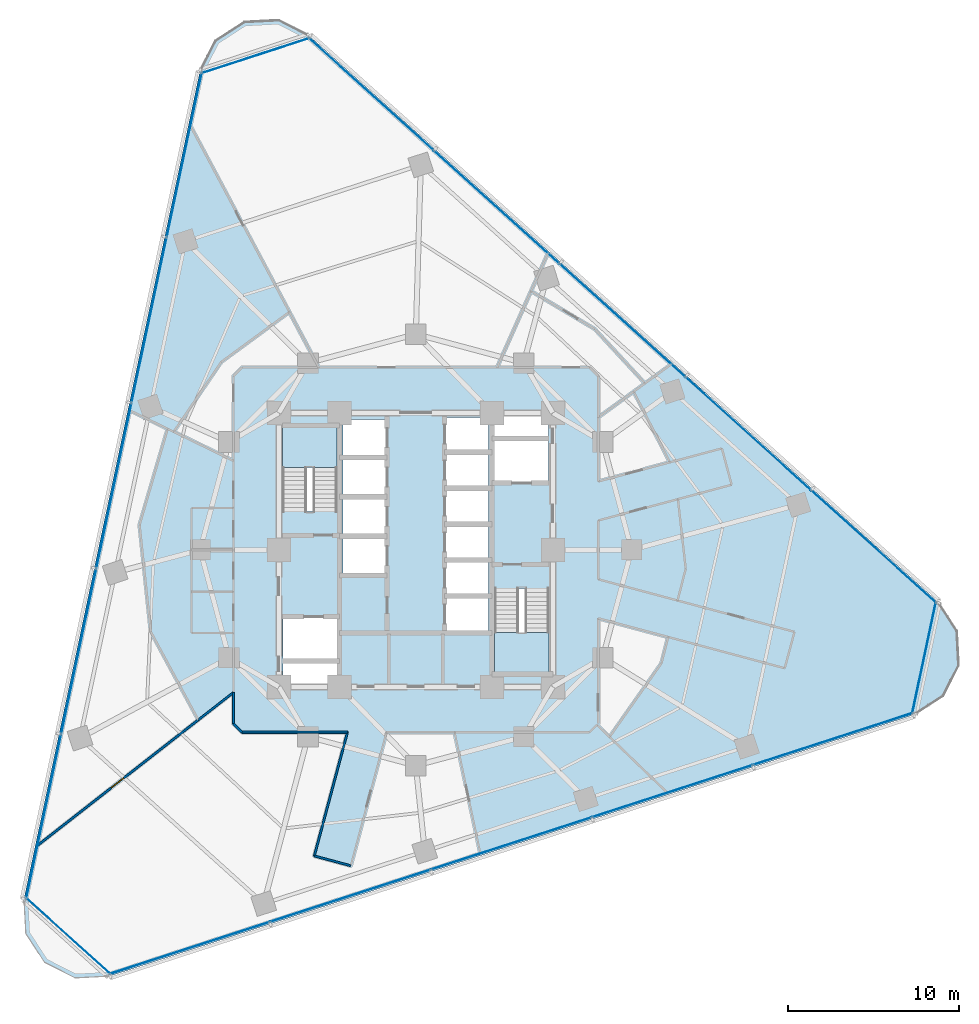
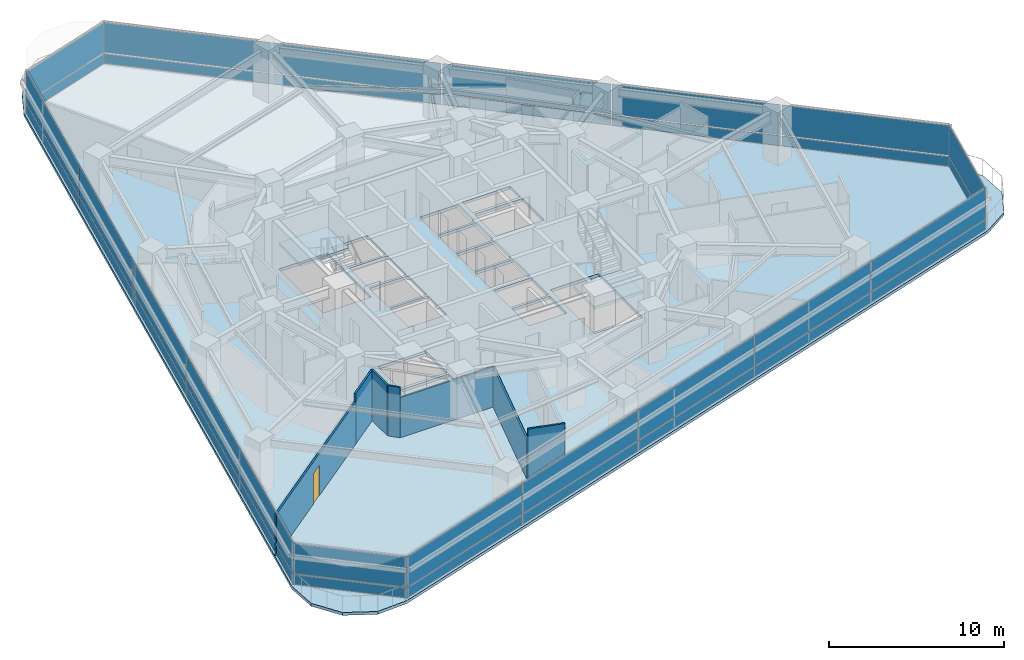
# One storey, part 6 of 13: 36 plates, 7 walls, 3 slabs, 1 door, 1 opening, 8 elements without a shape of their own.
"""IFC4 building model written with IfcOpenShell, lengths in metres."""

from ifc_helpers import new_model, si_unit, direction, frame, frame_2d, origin, origin_2d, place, context, subcontext, project, spatial, polyline, rectangle, outline, extrude, material, layer, layer_set, type_object, element, fill, aggregate, save


model = new_model("IFC4")

# Units and contexts
model_context = context("Model", 3, precision=1e-05, world=origin(), true_north=direction((0.0, 1.0)))
body_context = subcontext(model_context, "Body", "Model", "MODEL_VIEW")
ifc_project = project(units=[si_unit("LENGTHUNIT", "METRE"), si_unit("AREAUNIT", "SQUARE_METRE"), si_unit("VOLUMEUNIT", "CUBIC_METRE"), si_unit("PLANEANGLEUNIT", "RADIAN"), si_unit("MASSUNIT", "GRAM", prefix="KILO")], contexts=[model_context])

# Site, building, storey
site_placement = place(None, origin())
site = spatial("IfcSite", under=ifc_project, at=site_placement, CompositionType="ELEMENT")
building_placement = place(site_placement, origin())
building = spatial("IfcBuilding", under=site, at=building_placement, Name="Terralouvre Media Tower", CompositionType="ELEMENT")
storey_placement = place(building_placement, frame((0.0, 0.0, 108.800048828125)))
storey = spatial("IfcBuildingStorey", under=building, at=storey_placement, Name="L27", CompositionType="ELEMENT", Elevation=108.800048828125)

# Slab
ifc_material_1 = material(Name="Concrete C40/50", Category="concrete")
ifc_layer_1 = layer(ifc_material_1, 0.199951171875, Name="Composite Tower Floor Slab S-TYP200")
ifc_layer_set_1 = layer_set([ifc_layer_1], Name="Concrete C40/50")
slab_type_1 = type_object("IfcSlabType", Name="Composite Tower Floor Slab S-TYP200", PredefinedType="FLOOR", material=ifc_layer_set_1)
slab_1_placement = place(storey_placement, frame((0.0, 0.0, -0.199951171875), z_axis=(0.0, 0.0, 1.0), x_axis=(0.951056516295, 0.309016994375, 0.0)))
element("IfcSlab", 1, at=slab_1_placement, inside=storey, type_object=slab_type_1, Name="L27 Structural Floor Slab", PredefinedType="FLOOR", context=body_context, shape_type="SweptSolid", body=[
    extrude(outline(polyline([(-28.080078125, -12.33203125), (-28.60009765625, -14.272216796875), (-28.080078125, -16.212158203125), (-26.659912109375, -17.63232421875), (-24.719970703125, -18.152099609375), (24.719970703125, -18.152099609375), (26.659912109375, -17.63232421875), (28.080078125, -16.212158203125), (28.60009765625, -14.272216796875), (28.080078125, -12.33203125), (3.360107421875, 30.484130859375), (1.93994140625, 31.904296875), (0.0, 32.424072265625), (-1.93994140625, 31.904296875), (-3.360107421875, 30.484130859375), (-28.080078125, -12.33203125)]), holes=[polyline([(-6.78515625, -5.996826171875), (-9.781005859375, -5.0234375), (-9.41015625, -3.882080078125), (-6.414306640625, -4.85546875), (-6.78515625, -5.996826171875)]), polyline([(-6.3525390625, -4.665283203125), (-9.348388671875, -3.69189453125), (-8.59130859375, -1.36181640625), (-5.595458984375, -2.335205078125), (-6.3525390625, -4.665283203125)]), polyline([(-2.103271484375, -0.809814453125), (-4.480712890625, -0.037109375), (-3.819580078125, 1.998046875), (-1.44189453125, 1.2255859375), (-2.103271484375, -0.809814453125)]), polyline([(-1.392333984375, 1.377685546875), (-3.77001953125, 2.150146484375), (-3.108642578125, 4.185546875), (-0.731201171875, 3.4130859375), (-1.392333984375, 1.377685546875)]), polyline([(4.5302734375, 0.189453125), (2.152587890625, 0.9619140625), (2.752197265625, 2.806884765625), (5.129638671875, 2.034423828125), (4.5302734375, 0.189453125)]), polyline([(-0.681640625, 3.565185546875), (-3.059326171875, 4.337646484375), (-2.39794921875, 6.373046875), (-0.020263671875, 5.600341796875), (-0.681640625, 3.565185546875)]), polyline([(-3.68115234375, 3.556640625), (-6.70556640625, 4.539306640625), (-5.15576171875, 9.308837890625), (-2.13134765625, 8.326171875), (-3.68115234375, 3.556640625)]), polyline([(0.029052734375, 5.752685546875), (-2.3486328125, 6.525146484375), (-1.687255859375, 8.560302734375), (0.6904296875, 7.787841796875), (0.029052734375, 5.752685546875)]), polyline([(3.68115234375, -3.556640625), (6.70556640625, -4.539306640625), (5.15576171875, -9.308837890625), (2.13134765625, -8.326171875), (3.68115234375, -3.556640625)]), polyline([(2.58349609375, -5.80224609375), (0.205810546875, -5.02978515625), (0.80517578125, -3.184814453125), (3.182861328125, -3.957275390625), (2.58349609375, -5.80224609375)]), polyline([(3.232421875, -3.80517578125), (0.854736328125, -3.032470703125), (1.4541015625, -1.1875), (3.831787109375, -1.9599609375), (3.232421875, -3.80517578125)]), polyline([(3.88134765625, -1.807861328125), (1.503662109375, -1.035400390625), (2.103271484375, 0.809814453125), (4.480712890625, 0.037109375), (3.88134765625, -1.807861328125)]), polyline([(5.17919921875, 2.1865234375), (2.801513671875, 2.959228515625), (3.401123046875, 4.80419921875), (5.778564453125, 4.031494140625), (5.17919921875, 2.1865234375)]), polyline([(8.59130859375, 1.36181640625), (5.595458984375, 2.335205078125), (6.3525390625, 4.665283203125), (9.348388671875, 3.69189453125), (8.59130859375, 1.36181640625)]), polyline([(5.828125, 4.183837890625), (3.450439453125, 4.956298828125), (4.050048828125, 6.80126953125), (6.427490234375, 6.02880859375), (5.828125, 4.183837890625)]), polyline([(9.41015625, 3.882080078125), (6.414306640625, 4.85546875), (6.78515625, 5.996826171875), (9.781005859375, 5.0234375), (9.41015625, 3.882080078125)])]), origin(), (0.0, 0.0, 1.0), 0.199951171875),
])

# Stair, slab
ifc_material_2 = material(Name="Concrete C45/55", Category="concrete")
stair_type_1 = type_object("IfcStairType", Name="Dogleg Stair Assembly ST-01", PredefinedType="HALF_TURN_STAIR", material=ifc_material_2)
stair_1_placement = place(storey_placement, origin())
stair_1 = element("IfcStair", 2, at=stair_1_placement, inside=storey, type_object=stair_type_1, Name="L27 Core Pressurised Exit Stair ST-01", PredefinedType="HALF_TURN_STAIR")
ifc_material_3 = material(Name="Concrete C45/55", Category="concrete")
ifc_layer_2 = layer(ifc_material_3, 0.199951171875, Name="Reinforced Concrete Stair Half-Landing SL-LD1")
ifc_layer_set_2 = layer_set([ifc_layer_2], Name="Concrete C45/55")
slab_type_2 = type_object("IfcSlabType", Name="Reinforced Concrete Stair Half-Landing SL-LD1", PredefinedType="LANDING", material=ifc_layer_set_2)
slab_2_placement = place(storey_placement, frame((0.0, 0.0, 1.64990234375)))
slab_2 = element("IfcSlab", 3, at=slab_2_placement, type_object=slab_type_2, Name="ST-01 landing 1", PredefinedType="LANDING", context=body_context, shape_type="SweptSolid", body=[
    extrude(outline(polyline([(-4.60009765625, 4.820068359375), (-4.60009765625, 7.260009765625), (-7.780029296875, 7.260009765625), (-7.780029296875, 4.820068359375), (-4.60009765625, 4.820068359375)])), origin(), (0.0, 0.0, 1.0), 0.199951171875),
])
aggregate(stair_1, [slab_2])

ifc_material_4 = material(Name="Concrete C45/55", Category="concrete")
stair_type_2 = type_object("IfcStairType", Name="Dogleg Stair Assembly ST-02", PredefinedType="HALF_TURN_STAIR", material=ifc_material_4)
stair_2_placement = place(storey_placement, origin())
stair_2 = element("IfcStair", 4, at=stair_2_placement, inside=storey, type_object=stair_type_2, Name="L27 Core Pressurised Exit Stair ST-02", PredefinedType="HALF_TURN_STAIR")
slab_3_placement = place(storey_placement, frame((0.0, 0.0, 1.64990234375)))
slab_3 = element("IfcSlab", 5, at=slab_3_placement, type_object=slab_type_2, Name="ST-02 landing 1", PredefinedType="LANDING", context=body_context, shape_type="SweptSolid", body=[
    extrude(outline(polyline([(4.60009765625, -4.820068359375), (4.60009765625, -7.260009765625), (7.780029296875, -7.260009765625), (7.780029296875, -4.820068359375), (4.60009765625, -4.820068359375)])), origin(), (0.0, 0.0, 1.0), 0.199951171875),
])
aggregate(stair_2, [slab_3])

# Curtain wall, plates
ifc_material_5 = material(Name="Low-iron laminated double glazing with solar-control coating", Category="glass")
ifc_layer_3 = layer(ifc_material_5, 0.1650390625, Name="Rounded Wind-Corner Curved Glazing CW-04")
ifc_layer_set_3 = layer_set([ifc_layer_3], Name="Low-iron laminated double glazing with solar-control coating")
curtain_wall_type_1 = type_object("IfcCurtainWallType", Name="Rounded Wind-Corner Curved Glazing CW-04", PredefinedType="NOTDEFINED", material=ifc_layer_set_3)
curtain_wall_1_placement = place(storey_placement, origin())
curtain_wall_1 = element("IfcCurtainWall", 6, at=curtain_wall_1_placement, inside=storey, type_object=curtain_wall_type_1, Name="L27 Rounded Wind-Corner Curtain Wall C0", PredefinedType="NOTDEFINED")
ifc_material_6 = material(Name="Low-iron laminated double glazing with solar-control coating", Category="glass")
ifc_layer_4 = layer(ifc_material_6, 0.0400390625, Name="Rounded Corner Laminated Vision Panel CWP-03")
ifc_layer_set_4 = layer_set([ifc_layer_4], Name="Low-iron laminated double glazing with solar-control coating")
plate_type_1 = type_object("IfcPlateType", Name="Rounded Corner Laminated Vision Panel CWP-03", PredefinedType="CURTAIN_PANEL", material=ifc_layer_set_4)
plate_1_placement = place(storey_placement, frame((-20.30419921875, -22.550048828125, 0.074951171875), z_axis=(0.0, 0.0, 1.0), x_axis=(0.743144668471, -0.669130780732, 0.0)))
plate_1 = element("IfcPlate", 7, at=plate_1_placement, type_object=plate_type_1, Name="CW-04 panel 1.1", PredefinedType="CURTAIN_PANEL", context=body_context, shape_type="SweptSolid", body=[
    extrude(rectangle(XDim=6.5703125, YDim=0.035888671875, at=origin_2d()), origin(), (0.0, 0.0, 1.0), 0.6875),
])
plate_2_placement = place(storey_placement, frame((-20.30419921875, -22.550048828125, 0.83740234375), z_axis=(0.0, 0.0, 1.0), x_axis=(0.743144668471, -0.669130780732, 0.0)))
plate_2 = element("IfcPlate", 8, at=plate_2_placement, type_object=plate_type_1, Name="CW-04 panel 1.2", PredefinedType="CURTAIN_PANEL", context=body_context, shape_type="SweptSolid", body=[
    extrude(rectangle(XDim=6.5703125, YDim=0.035888671875, at=origin_2d()), origin(), (0.0, 0.0, 1.0), 2.08740234375),
])
aggregate(curtain_wall_1, [plate_1, plate_2])

curtain_wall_2_placement = place(storey_placement, origin())
curtain_wall_2 = element("IfcCurtainWall", 9, at=curtain_wall_2_placement, inside=storey, type_object=curtain_wall_type_1, Name="L27 Rounded Wind-Corner Curtain Wall C1", PredefinedType="NOTDEFINED")
plate_3_placement = place(storey_placement, frame((29.68115234375, -6.308837890625, 0.074951171875), z_axis=(0.0, 0.0, 1.0), x_axis=(0.207911611348, 0.978147617626, 0.0)))
plate_3 = element("IfcPlate", 10, at=plate_3_placement, type_object=plate_type_1, Name="CW-04 panel 1.1", PredefinedType="CURTAIN_PANEL", context=body_context, shape_type="SweptSolid", body=[
    extrude(rectangle(XDim=6.5703125, YDim=0.035888671875, at=origin_2d()), origin(), (0.0, 0.0, 1.0), 0.6875),
])
plate_4_placement = place(storey_placement, frame((29.68115234375, -6.308837890625, 0.83740234375), z_axis=(0.0, 0.0, 1.0), x_axis=(0.207911611348, 0.978147617626, 0.0)))
plate_4 = element("IfcPlate", 11, at=plate_4_placement, type_object=plate_type_1, Name="CW-04 panel 1.2", PredefinedType="CURTAIN_PANEL", context=body_context, shape_type="SweptSolid", body=[
    extrude(rectangle(XDim=6.5703125, YDim=0.035888671875, at=origin_2d()), origin(), (0.0, 0.0, 1.0), 2.08740234375),
])
aggregate(curtain_wall_2, [plate_3, plate_4])

curtain_wall_3_placement = place(storey_placement, origin())
curtain_wall_3 = element("IfcCurtainWall", 12, at=curtain_wall_3_placement, inside=storey, type_object=curtain_wall_type_1, Name="L27 Rounded Wind-Corner Curtain Wall C2", PredefinedType="NOTDEFINED")
plate_5_placement = place(storey_placement, frame((-9.376953125, 28.859130859375, 0.074951171875), z_axis=(0.0, 0.0, 1.0), x_axis=(-0.951056286408, -0.309017701894, 0.0)))
plate_5 = element("IfcPlate", 13, at=plate_5_placement, type_object=plate_type_1, Name="CW-04 panel 1.1", PredefinedType="CURTAIN_PANEL", context=body_context, shape_type="SweptSolid", body=[
    extrude(rectangle(XDim=6.5703125, YDim=0.035888671875, at=origin_2d()), origin(), (0.0, 0.0, 1.0), 0.6875),
])
plate_6_placement = place(storey_placement, frame((-9.376953125, 28.859130859375, 0.83740234375), z_axis=(0.0, 0.0, 1.0), x_axis=(-0.951056286408, -0.309017701894, 0.0)))
plate_6 = element("IfcPlate", 14, at=plate_6_placement, type_object=plate_type_1, Name="CW-04 panel 1.2", PredefinedType="CURTAIN_PANEL", context=body_context, shape_type="SweptSolid", body=[
    extrude(rectangle(XDim=6.5703125, YDim=0.035888671875, at=origin_2d()), origin(), (0.0, 0.0, 1.0), 2.08740234375),
])
aggregate(curtain_wall_3, [plate_5, plate_6])

ifc_material_7 = material(Name="Low-iron laminated double glazing with solar-control coating", Category="glass")
ifc_layer_5 = layer(ifc_material_7, 0.1650390625, Name="Lower Media Tower Unitised Curtain Wall CW-02")
ifc_layer_set_5 = layer_set([ifc_layer_5], Name="Low-iron laminated double glazing with solar-control coating")
curtain_wall_type_2 = type_object("IfcCurtainWallType", Name="Lower Media Tower Unitised Curtain Wall CW-02", PredefinedType="NOTDEFINED", material=ifc_layer_set_5)
curtain_wall_4_placement = place(storey_placement, origin())
curtain_wall_4 = element("IfcCurtainWall", 15, at=curtain_wall_4_placement, inside=storey, type_object=curtain_wall_type_2, Name="L27 Facade Curtain Wall F0", PredefinedType="NOTDEFINED")
ifc_material_8 = material(Name="Low-iron laminated double glazing with solar-control coating", Category="glass")
ifc_layer_6 = layer(ifc_material_8, 0.035888671875, Name="Vision Double-Glazed Unit CWP-01")
ifc_layer_set_6 = layer_set([ifc_layer_6], Name="Low-iron laminated double glazing with solar-control coating")
plate_type_2 = type_object("IfcPlateType", Name="Vision Double-Glazed Unit CWP-01", PredefinedType="CURTAIN_PANEL", material=ifc_layer_set_6)
plate_7_placement = place(storey_placement, frame((-13.218017578125, -23.2548828125, 0.074951171875), z_axis=(0.0, 0.0, 1.0), x_axis=(0.951056509451, 0.309017015439, 0.0)))
plate_7 = element("IfcPlate", 16, at=plate_7_placement, type_object=plate_type_2, Name="CW-02 panel 1.1", PredefinedType="CURTAIN_PANEL", context=body_context, shape_type="SweptSolid", body=[
    extrude(rectangle(XDim=9.775390625, YDim=0.035888671875, at=origin_2d()), origin(), (0.0, 0.0, 1.0), 0.6875),
])
plate_8_placement = place(storey_placement, frame((-13.218017578125, -23.2548828125, 0.83740234375), z_axis=(0.0, 0.0, 1.0), x_axis=(0.951056509451, 0.309017015439, 0.0)))
plate_8 = element("IfcPlate", 17, at=plate_8_placement, type_object=plate_type_2, Name="CW-02 panel 1.2", PredefinedType="CURTAIN_PANEL", context=body_context, shape_type="SweptSolid", body=[
    extrude(rectangle(XDim=9.775390625, YDim=0.035888671875, at=origin_2d()), origin(), (0.0, 0.0, 1.0), 2.08740234375),
])
plate_9_placement = place(storey_placement, frame((-3.831787109375, -20.205078125, 0.074951171875), z_axis=(0.0, 0.0, 1.0), x_axis=(0.951056509451, 0.309017015439, 0.0)))
plate_9 = element("IfcPlate", 18, at=plate_9_placement, type_object=plate_type_2, Name="CW-02 panel 2.1", PredefinedType="CURTAIN_PANEL", context=body_context, shape_type="SweptSolid", body=[
    extrude(rectangle(XDim=9.81298828125, YDim=0.035888671875, at=origin_2d()), origin(), (0.0, 0.0, 1.0), 0.6875),
])
plate_10_placement = place(storey_placement, frame((-3.831787109375, -20.205078125, 0.83740234375), z_axis=(0.0, 0.0, 1.0), x_axis=(0.951056509451, 0.309017015439, 0.0)))
plate_10 = element("IfcPlate", 19, at=plate_10_placement, type_object=plate_type_2, Name="CW-02 panel 2.2", PredefinedType="CURTAIN_PANEL", context=body_context, shape_type="SweptSolid", body=[
    extrude(rectangle(XDim=9.81298828125, YDim=0.035888671875, at=origin_2d()), origin(), (0.0, 0.0, 1.0), 2.08740234375),
])
plate_11_placement = place(storey_placement, frame((5.572265625, -17.149658203125, 0.074951171875), z_axis=(0.0, 0.0, 1.0), x_axis=(0.951056509451, 0.309017015439, 0.0)))
plate_11 = element("IfcPlate", 20, at=plate_11_placement, type_object=plate_type_2, Name="CW-02 panel 3.1", PredefinedType="CURTAIN_PANEL", context=body_context, shape_type="SweptSolid", body=[
    extrude(rectangle(XDim=9.81298828125, YDim=0.035888671875, at=origin_2d()), origin(), (0.0, 0.0, 1.0), 0.6875),
])
plate_12_placement = place(storey_placement, frame((5.572265625, -17.149658203125, 0.83740234375), z_axis=(0.0, 0.0, 1.0), x_axis=(0.951056509451, 0.309017015439, 0.0)))
plate_12 = element("IfcPlate", 21, at=plate_12_placement, type_object=plate_type_2, Name="CW-02 panel 3.2", PredefinedType="CURTAIN_PANEL", context=body_context, shape_type="SweptSolid", body=[
    extrude(rectangle(XDim=9.81298828125, YDim=0.035888671875, at=origin_2d()), origin(), (0.0, 0.0, 1.0), 2.08740234375),
])
plate_13_placement = place(storey_placement, frame((14.976318359375, -14.093994140625, 0.074951171875), z_axis=(0.0, 0.0, 1.0), x_axis=(0.951056509451, 0.309017015439, 0.0)))
plate_13 = element("IfcPlate", 22, at=plate_13_placement, type_object=plate_type_2, Name="CW-02 panel 4.1", PredefinedType="CURTAIN_PANEL", context=body_context, shape_type="SweptSolid", body=[
    extrude(rectangle(XDim=9.81298828125, YDim=0.035888671875, at=origin_2d()), origin(), (0.0, 0.0, 1.0), 0.6875),
])
plate_14_placement = place(storey_placement, frame((14.976318359375, -14.093994140625, 0.83740234375), z_axis=(0.0, 0.0, 1.0), x_axis=(0.951056509451, 0.309017015439, 0.0)))
plate_14 = element("IfcPlate", 23, at=plate_14_placement, type_object=plate_type_2, Name="CW-02 panel 4.2", PredefinedType="CURTAIN_PANEL", context=body_context, shape_type="SweptSolid", body=[
    extrude(rectangle(XDim=9.81298828125, YDim=0.035888671875, at=origin_2d()), origin(), (0.0, 0.0, 1.0), 2.08740234375),
])
plate_15_placement = place(storey_placement, frame((24.362548828125, -11.044189453125, 0.074951171875), z_axis=(0.0, 0.0, 1.0), x_axis=(0.951056509451, 0.309017015439, 0.0)))
plate_15 = element("IfcPlate", 24, at=plate_15_placement, type_object=plate_type_2, Name="CW-02 panel 5.1", PredefinedType="CURTAIN_PANEL", context=body_context, shape_type="SweptSolid", body=[
    extrude(rectangle(XDim=9.775390625, YDim=0.035888671875, at=origin_2d()), origin(), (0.0, 0.0, 1.0), 0.6875),
])
plate_16_placement = place(storey_placement, frame((24.362548828125, -11.044189453125, 0.83740234375), z_axis=(0.0, 0.0, 1.0), x_axis=(0.951056509451, 0.309017015439, 0.0)))
plate_16 = element("IfcPlate", 25, at=plate_16_placement, type_object=plate_type_2, Name="CW-02 panel 5.2", PredefinedType="CURTAIN_PANEL", context=body_context, shape_type="SweptSolid", body=[
    extrude(rectangle(XDim=9.775390625, YDim=0.035888671875, at=origin_2d()), origin(), (0.0, 0.0, 1.0), 2.08740234375),
])
aggregate(curtain_wall_4, [plate_7, plate_8, plate_9, plate_10, plate_11, plate_12, plate_13, plate_14, plate_15, plate_16])

curtain_wall_5_placement = place(storey_placement, origin())
curtain_wall_5 = element("IfcCurtainWall", 26, at=curtain_wall_5_placement, inside=storey, type_object=curtain_wall_type_2, Name="L27 Facade Curtain Wall F1", PredefinedType="NOTDEFINED")
plate_17_placement = place(storey_placement, frame((26.748291015625, 0.18017578125, 0.074951171875), z_axis=(0.0, 0.0, 1.0), x_axis=(-0.743144795545, 0.669130639602, 0.0)))
plate_17 = element("IfcPlate", 27, at=plate_17_placement, type_object=plate_type_2, Name="CW-02 panel 1.1", PredefinedType="CURTAIN_PANEL", context=body_context, shape_type="SweptSolid", body=[
    extrude(rectangle(XDim=9.775390625, YDim=0.035888671875, at=origin_2d()), origin(), (0.0, 0.0, 1.0), 0.6875),
])
plate_18_placement = place(storey_placement, frame((26.748291015625, 0.18017578125, 0.83740234375), z_axis=(0.0, 0.0, 1.0), x_axis=(-0.743144795545, 0.669130639602, 0.0)))
plate_18 = element("IfcPlate", 28, at=plate_18_placement, type_object=plate_type_2, Name="CW-02 panel 1.2", PredefinedType="CURTAIN_PANEL", context=body_context, shape_type="SweptSolid", body=[
    extrude(rectangle(XDim=9.775390625, YDim=0.035888671875, at=origin_2d()), origin(), (0.0, 0.0, 1.0), 2.08740234375),
])
plate_19_placement = place(storey_placement, frame((19.4140625, 6.7841796875, 0.074951171875), z_axis=(0.0, 0.0, 1.0), x_axis=(-0.743144795545, 0.669130639602, 0.0)))
plate_19 = element("IfcPlate", 29, at=plate_19_placement, type_object=plate_type_2, Name="CW-02 panel 2.1", PredefinedType="CURTAIN_PANEL", context=body_context, shape_type="SweptSolid", body=[
    extrude(rectangle(XDim=9.81298828125, YDim=0.035888671875, at=origin_2d()), origin(), (0.0, 0.0, 1.0), 0.6875),
])
plate_20_placement = place(storey_placement, frame((19.4140625, 6.7841796875, 0.83740234375), z_axis=(0.0, 0.0, 1.0), x_axis=(-0.743144795545, 0.669130639602, 0.0)))
plate_20 = element("IfcPlate", 30, at=plate_20_placement, type_object=plate_type_2, Name="CW-02 panel 2.2", PredefinedType="CURTAIN_PANEL", context=body_context, shape_type="SweptSolid", body=[
    extrude(rectangle(XDim=9.81298828125, YDim=0.035888671875, at=origin_2d()), origin(), (0.0, 0.0, 1.0), 2.08740234375),
])
plate_21_placement = place(storey_placement, frame((12.06591796875, 13.400390625, 0.074951171875), z_axis=(0.0, 0.0, 1.0), x_axis=(-0.743144795545, 0.669130639602, 0.0)))
plate_21 = element("IfcPlate", 31, at=plate_21_placement, type_object=plate_type_2, Name="CW-02 panel 3.1", PredefinedType="CURTAIN_PANEL", context=body_context, shape_type="SweptSolid", body=[
    extrude(rectangle(XDim=9.81298828125, YDim=0.035888671875, at=origin_2d()), origin(), (0.0, 0.0, 1.0), 0.6875),
])
plate_22_placement = place(storey_placement, frame((12.06591796875, 13.400390625, 0.83740234375), z_axis=(0.0, 0.0, 1.0), x_axis=(-0.743144795545, 0.669130639602, 0.0)))
plate_22 = element("IfcPlate", 32, at=plate_22_placement, type_object=plate_type_2, Name="CW-02 panel 3.2", PredefinedType="CURTAIN_PANEL", context=body_context, shape_type="SweptSolid", body=[
    extrude(rectangle(XDim=9.81298828125, YDim=0.035888671875, at=origin_2d()), origin(), (0.0, 0.0, 1.0), 2.08740234375),
])
plate_23_placement = place(storey_placement, frame((4.717529296875, 20.016845703125, 0.074951171875), z_axis=(0.0, 0.0, 1.0), x_axis=(-0.743144795545, 0.669130639602, 0.0)))
plate_23 = element("IfcPlate", 33, at=plate_23_placement, type_object=plate_type_2, Name="CW-02 panel 4.1", PredefinedType="CURTAIN_PANEL", context=body_context, shape_type="SweptSolid", body=[
    extrude(rectangle(XDim=9.81298828125, YDim=0.035888671875, at=origin_2d()), origin(), (0.0, 0.0, 1.0), 0.6875),
])
plate_24_placement = place(storey_placement, frame((4.717529296875, 20.016845703125, 0.83740234375), z_axis=(0.0, 0.0, 1.0), x_axis=(-0.743144795545, 0.669130639602, 0.0)))
plate_24 = element("IfcPlate", 34, at=plate_24_placement, type_object=plate_type_2, Name="CW-02 panel 4.2", PredefinedType="CURTAIN_PANEL", context=body_context, shape_type="SweptSolid", body=[
    extrude(rectangle(XDim=9.81298828125, YDim=0.035888671875, at=origin_2d()), origin(), (0.0, 0.0, 1.0), 2.08740234375),
])
plate_25_placement = place(storey_placement, frame((-2.61669921875, 26.62060546875, 0.074951171875), z_axis=(0.0, 0.0, 1.0), x_axis=(-0.743144795545, 0.669130639602, 0.0)))
plate_25 = element("IfcPlate", 35, at=plate_25_placement, type_object=plate_type_2, Name="CW-02 panel 5.1", PredefinedType="CURTAIN_PANEL", context=body_context, shape_type="SweptSolid", body=[
    extrude(rectangle(XDim=9.775390625, YDim=0.035888671875, at=origin_2d()), origin(), (0.0, 0.0, 1.0), 0.6875),
])
plate_26_placement = place(storey_placement, frame((-2.61669921875, 26.62060546875, 0.83740234375), z_axis=(0.0, 0.0, 1.0), x_axis=(-0.743144795545, 0.669130639602, 0.0)))
plate_26 = element("IfcPlate", 36, at=plate_26_placement, type_object=plate_type_2, Name="CW-02 panel 5.2", PredefinedType="CURTAIN_PANEL", context=body_context, shape_type="SweptSolid", body=[
    extrude(rectangle(XDim=9.775390625, YDim=0.035888671875, at=origin_2d()), origin(), (0.0, 0.0, 1.0), 2.08740234375),
])
aggregate(curtain_wall_5, [plate_17, plate_18, plate_19, plate_20, plate_21, plate_22, plate_23, plate_24, plate_25, plate_26])

curtain_wall_6_placement = place(storey_placement, origin())
curtain_wall_6 = element("IfcCurtainWall", 37, at=curtain_wall_6_placement, inside=storey, type_object=curtain_wall_type_2, Name="L27 Facade Curtain Wall F2", PredefinedType="NOTDEFINED")
plate_27_placement = place(storey_placement, frame((-13.5302734375, 23.07470703125, 0.074951171875), z_axis=(0.0, 0.0, 1.0), x_axis=(-0.207911643887, -0.978147610709, 0.0)))
plate_27 = element("IfcPlate", 38, at=plate_27_placement, type_object=plate_type_2, Name="CW-02 panel 1.1", PredefinedType="CURTAIN_PANEL", context=body_context, shape_type="SweptSolid", body=[
    extrude(rectangle(XDim=9.775390625, YDim=0.035888671875, at=origin_2d()), origin(), (0.0, 0.0, 1.0), 0.6875),
])
plate_28_placement = place(storey_placement, frame((-13.5302734375, 23.07470703125, 0.83740234375), z_axis=(0.0, 0.0, 1.0), x_axis=(-0.207911643887, -0.978147610709, 0.0)))
plate_28 = element("IfcPlate", 39, at=plate_28_placement, type_object=plate_type_2, Name="CW-02 panel 1.2", PredefinedType="CURTAIN_PANEL", context=body_context, shape_type="SweptSolid", body=[
    extrude(rectangle(XDim=9.775390625, YDim=0.035888671875, at=origin_2d()), origin(), (0.0, 0.0, 1.0), 2.08740234375),
])
plate_29_placement = place(storey_placement, frame((-15.582275390625, 13.4208984375, 0.074951171875), z_axis=(0.0, 0.0, 1.0), x_axis=(-0.207911643887, -0.978147610709, 0.0)))
plate_29 = element("IfcPlate", 40, at=plate_29_placement, type_object=plate_type_2, Name="CW-02 panel 2.1", PredefinedType="CURTAIN_PANEL", context=body_context, shape_type="SweptSolid", body=[
    extrude(rectangle(XDim=9.81298828125, YDim=0.035888671875, at=origin_2d()), origin(), (0.0, 0.0, 1.0), 0.6875),
])
plate_30_placement = place(storey_placement, frame((-15.582275390625, 13.4208984375, 0.83740234375), z_axis=(0.0, 0.0, 1.0), x_axis=(-0.207911643887, -0.978147610709, 0.0)))
plate_30 = element("IfcPlate", 41, at=plate_30_placement, type_object=plate_type_2, Name="CW-02 panel 2.2", PredefinedType="CURTAIN_PANEL", context=body_context, shape_type="SweptSolid", body=[
    extrude(rectangle(XDim=9.81298828125, YDim=0.035888671875, at=origin_2d()), origin(), (0.0, 0.0, 1.0), 2.08740234375),
])
plate_31_placement = place(storey_placement, frame((-17.637939453125, 3.7490234375, 0.074951171875), z_axis=(0.0, 0.0, 1.0), x_axis=(-0.207911643887, -0.978147610709, 0.0)))
plate_31 = element("IfcPlate", 42, at=plate_31_placement, type_object=plate_type_2, Name="CW-02 panel 3.1", PredefinedType="CURTAIN_PANEL", context=body_context, shape_type="SweptSolid", body=[
    extrude(rectangle(XDim=9.81298828125, YDim=0.035888671875, at=origin_2d()), origin(), (0.0, 0.0, 1.0), 0.6875),
])
plate_32_placement = place(storey_placement, frame((-17.637939453125, 3.7490234375, 0.83740234375), z_axis=(0.0, 0.0, 1.0), x_axis=(-0.207911643887, -0.978147610709, 0.0)))
plate_32 = element("IfcPlate", 43, at=plate_32_placement, type_object=plate_type_2, Name="CW-02 panel 3.2", PredefinedType="CURTAIN_PANEL", context=body_context, shape_type="SweptSolid", body=[
    extrude(rectangle(XDim=9.81298828125, YDim=0.035888671875, at=origin_2d()), origin(), (0.0, 0.0, 1.0), 2.08740234375),
])
plate_33_placement = place(storey_placement, frame((-19.69384765625, -5.9228515625, 0.074951171875), z_axis=(0.0, 0.0, 1.0), x_axis=(-0.207911643887, -0.978147610709, 0.0)))
plate_33 = element("IfcPlate", 44, at=plate_33_placement, type_object=plate_type_2, Name="CW-02 panel 4.1", PredefinedType="CURTAIN_PANEL", context=body_context, shape_type="SweptSolid", body=[
    extrude(rectangle(XDim=9.81298828125, YDim=0.035888671875, at=origin_2d()), origin(), (0.0, 0.0, 1.0), 0.6875),
])
plate_34_placement = place(storey_placement, frame((-19.69384765625, -5.9228515625, 0.83740234375), z_axis=(0.0, 0.0, 1.0), x_axis=(-0.207911643887, -0.978147610709, 0.0)))
plate_34 = element("IfcPlate", 45, at=plate_34_placement, type_object=plate_type_2, Name="CW-02 panel 4.2", PredefinedType="CURTAIN_PANEL", context=body_context, shape_type="SweptSolid", body=[
    extrude(rectangle(XDim=9.81298828125, YDim=0.035888671875, at=origin_2d()), origin(), (0.0, 0.0, 1.0), 2.08740234375),
])
plate_35_placement = place(storey_placement, frame((-21.745849609375, -15.576416015625, 0.074951171875), z_axis=(0.0, 0.0, 1.0), x_axis=(-0.207911643887, -0.978147610709, 0.0)))
plate_35 = element("IfcPlate", 46, at=plate_35_placement, type_object=plate_type_2, Name="CW-02 panel 5.1", PredefinedType="CURTAIN_PANEL", context=body_context, shape_type="SweptSolid", body=[
    extrude(rectangle(XDim=9.775390625, YDim=0.035888671875, at=origin_2d()), origin(), (0.0, 0.0, 1.0), 0.6875),
])
plate_36_placement = place(storey_placement, frame((-21.745849609375, -15.576416015625, 0.83740234375), z_axis=(0.0, 0.0, 1.0), x_axis=(-0.207911643887, -0.978147610709, 0.0)))
plate_36 = element("IfcPlate", 47, at=plate_36_placement, type_object=plate_type_2, Name="CW-02 panel 5.2", PredefinedType="CURTAIN_PANEL", context=body_context, shape_type="SweptSolid", body=[
    extrude(rectangle(XDim=9.775390625, YDim=0.035888671875, at=origin_2d()), origin(), (0.0, 0.0, 1.0), 2.08740234375),
])
aggregate(curtain_wall_6, [plate_27, plate_28, plate_29, plate_30, plate_31, plate_32, plate_33, plate_34, plate_35, plate_36])

# Walls
ifc_material_9 = material(Name="Fire-rated gypsum board drywall partition")
ifc_layer_7 = layer(ifc_material_9, 0.114990234375, Name="Restroom and Pantry Partition PT-115")
ifc_layer_set_7 = layer_set([ifc_layer_7], Name="Fire-rated gypsum board drywall partition")
wall_type = type_object("IfcWallType", Name="Restroom and Pantry Partition PT-115", PredefinedType="PARTITIONING", material=ifc_layer_set_7)
wall_1_placement = place(storey_placement, frame((-10.64990234375, -8.321044921875, 0.0), z_axis=(0.0, 0.0, 1.0), x_axis=(0.0, -1.0, 0.0)))
element("IfcWall", 48, at=wall_1_placement, inside=storey, type_object=wall_type, Name="L27 Interior Partition 001", PredefinedType="PARTITIONING", context=body_context, shape_type="SweptSolid", body=[
    extrude(rectangle(XDim=1.828857421875, YDim=0.114990234375, at=frame_2d((0.91455078125, 0.0))), origin(), (0.0, 0.0, 1.0), 3.5),
])
wall_2_placement = place(storey_placement, frame((-10.64990234375, -10.14990234375, 0.0), z_axis=(0.0, 0.0, 1.0), x_axis=(0.707106781187, -0.707106781187, 0.0)))
element("IfcWall", 49, at=wall_2_placement, inside=storey, type_object=wall_type, Name="L27 Interior Partition 002", PredefinedType="PARTITIONING", context=body_context, shape_type="SweptSolid", body=[
    extrude(rectangle(XDim=0.70703125, YDim=0.114990234375, at=frame_2d((0.353515625, 0.0))), origin(), (0.0, 0.0, 1.0), 3.5),
])
wall_3_placement = place(storey_placement, frame((-10.14990234375, -10.64990234375, 0.0), z_axis=(0.0, 0.0, 1.0), x_axis=(1.0, 0.0, 0.0)))
element("IfcWall", 50, at=wall_3_placement, inside=storey, type_object=wall_type, Name="L27 Interior Partition 003", PredefinedType="PARTITIONING", context=body_context, shape_type="SweptSolid", body=[
    extrude(rectangle(XDim=6.157958984375, YDim=0.114990234375, at=frame_2d((3.0791015625, 0.0))), origin(), (0.0, 0.0, 1.0), 2.784912109375),
])
wall_4_placement = place(storey_placement, frame((-3.991943359375, -10.64990234375, 0.0), z_axis=(0.0, 0.0, 1.0), x_axis=(-0.258828534142, -0.965923283659, 0.0)))
element("IfcWall", 51, at=wall_4_placement, inside=storey, type_object=wall_type, Name="L27 Interior Partition 004", PredefinedType="PARTITIONING", context=body_context, shape_type="SweptSolid", body=[
    extrude(rectangle(XDim=7.47998046875, YDim=0.114990234375, at=frame_2d((3.739990234375, 0.0))), origin(), (0.0, 0.0, 1.0), 2.784912109375),
])
wall_5_placement = place(storey_placement, frame((-5.927978515625, -17.875, 0.0), z_axis=(0.0, 0.0, 1.0), x_axis=(0.965959937537, -0.258691706618, 0.0)))
element("IfcWall", 52, at=wall_5_placement, inside=storey, type_object=wall_type, Name="L27 Interior Partition 005", PredefinedType="PARTITIONING", context=body_context, shape_type="SweptSolid", body=[
    extrude(rectangle(XDim=2.199951171875, YDim=0.114990234375, at=frame_2d((1.10009765625, 0.0))), origin(), (0.0, 0.0, 1.0), 3.5),
])
wall_6_placement = place(storey_placement, frame((-10.64990234375, -8.321044921875, 0.0), z_axis=(0.0, 0.0, 1.0), x_axis=(-0.787998815749, -0.615676754782, 0.0)))
element("IfcWall", 53, at=wall_6_placement, inside=storey, type_object=wall_type, Name="L27 Interior Partition 035", PredefinedType="PARTITIONING", context=body_context, shape_type="SweptSolid", body=[
    extrude(rectangle(XDim=2.60693359375, YDim=0.114990234375, at=frame_2d((1.303466796875, 0.0))), origin(), (0.0, 0.0, 1.0), 3.5),
])

# Wall, opening, door
wall_7_placement = place(storey_placement, frame((-12.7041015625, -9.926025390625, 0.0), z_axis=(0.0, 0.0, 1.0), x_axis=(-0.788033940978, -0.615631795692, 0.0)))
wall_7 = element("IfcWall", 54, at=wall_7_placement, inside=storey, type_object=wall_type, Name="L27 Interior Partition 036", PredefinedType="PARTITIONING", context=body_context, shape_type="SweptSolid", body=[
    extrude(rectangle(XDim=11.9931640625, YDim=0.114990234375, at=frame_2d((5.99658203125, 0.0))), origin(), (0.0, 0.0, 1.0), 2.93505859375),
])
opening_placement = place(wall_7_placement, frame((5.53662109375, 0.0, 0.0)))
opening = element("IfcOpeningElement", 55, at=opening_placement, cuts=wall_7, Name="Opening ID-03-92X210", PredefinedType="OPENING", context=body_context, shape_type="SweptSolid", body=[
    extrude(rectangle(XDim=0.919921875, YDim=2.10009765625, at=frame_2d((0.4599609375, 1.050048828125))), frame((0.0, 0.0673828125, 0.0), z_axis=(0.0, -1.0, 0.0), x_axis=(1.0, 0.0, 0.0)), (0.0, 0.0, 1.0), 0.135009765625),
])
ifc_material_10 = material(Name="Engineered hardwood acoustic timber leaf", Category="wood")
door_type = type_object("IfcDoorType", Name="Accessible Restroom and Suite Door ID-03 (920x2100)", OperationType="NOTDEFINED", PredefinedType="DOOR", material=ifc_material_10)
door_placement = place(opening_placement, origin())
door = element("IfcDoor", 56, at=door_placement, inside=storey, type_object=door_type, Name="L27 Club Administration Office 7 Door", OperationType="SINGLE_SWING_RIGHT", OverallHeight=2.10009765625, OverallWidth=0.919921875, PredefinedType="DOOR", context=body_context, shape_type="SweptSolid", body=[
    extrude(rectangle(XDim=0.919921875, YDim=2.10009765625, at=frame_2d((0.4599609375, 1.050048828125))), frame((0.0, 0.02490234375, 0.0), z_axis=(0.0, -1.0, 0.0), x_axis=(1.0, 0.0, 0.0)), (0.0, 0.0, 1.0), 0.050048828125),
])
fill(opening, door)

save(model, "model.ifc")
